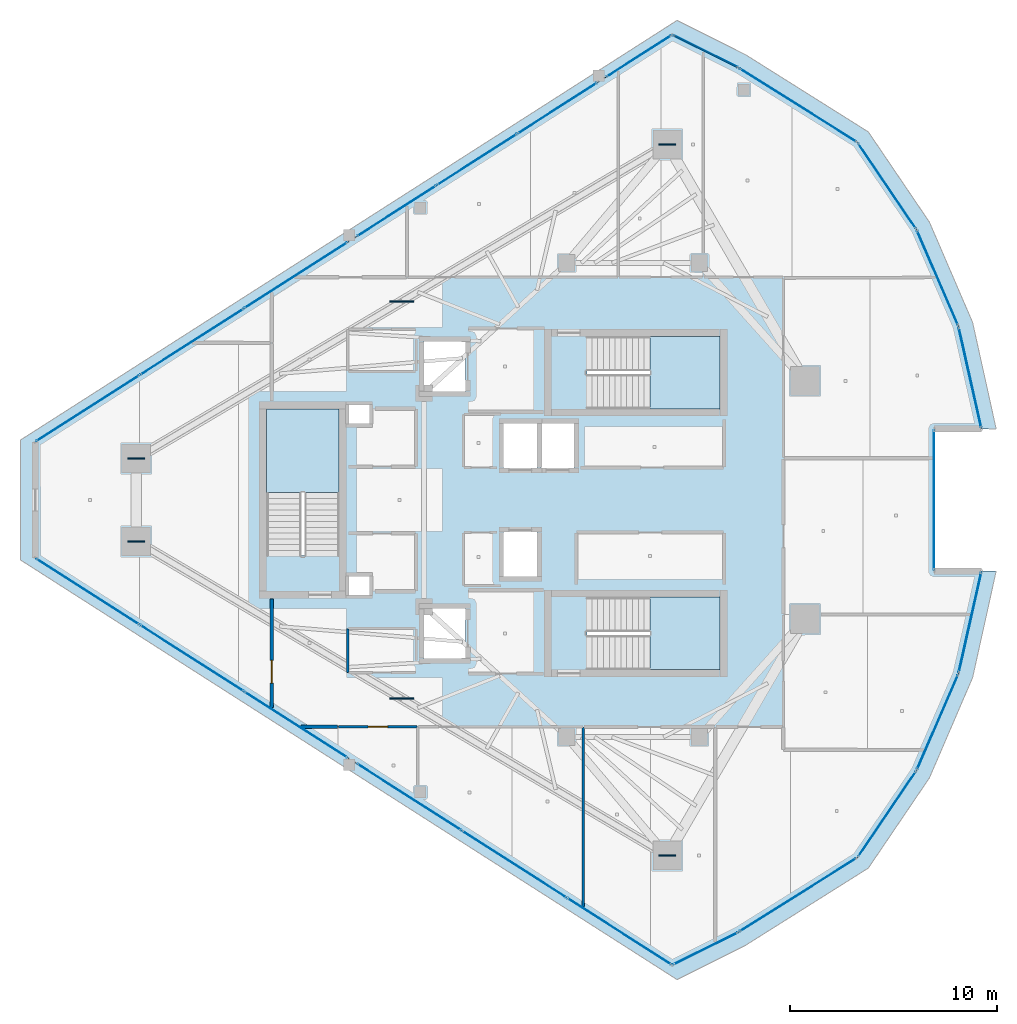
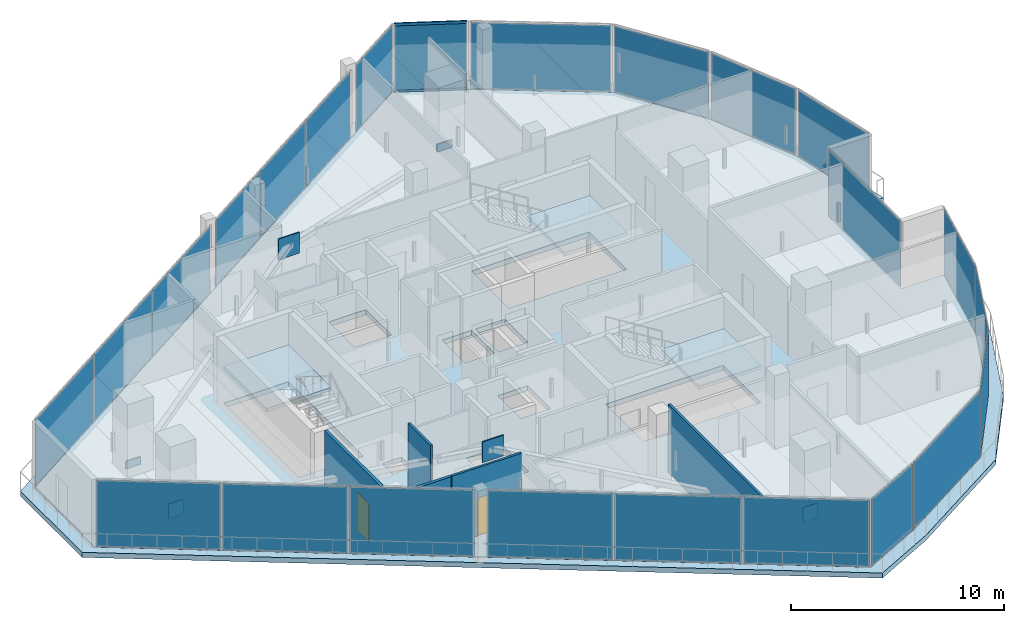
# One storey, part 20 of 30: 30 plates, 5 slabs, 5 walls, 2 doors, 2 members, 2 openings, 19 elements without a shape of their own.
"""IFC4 building model written with IfcOpenShell, lengths in metres."""

from ifc_helpers import new_model, si_unit, direction, frame, frame_2d, origin, origin_2d, place, context, subcontext, project, spatial, polyline, rectangle, hollow_rectangle, outline, extrude, material, layer, layer_set, material_profile, profile_set, type_object, element, fill, aggregate, save


model = new_model("IFC4")

# Units and contexts
model_context = context("Model", 3, precision=1e-05, world=origin(), true_north=direction((0.0, 1.0)))
body_context = subcontext(model_context, "Body", "Model", "MODEL_VIEW")
ifc_project = project(units=[si_unit("LENGTHUNIT", "METRE"), si_unit("AREAUNIT", "SQUARE_METRE"), si_unit("VOLUMEUNIT", "CUBIC_METRE"), si_unit("PLANEANGLEUNIT", "RADIAN"), si_unit("MASSUNIT", "GRAM", prefix="KILO")], contexts=[model_context])

# Site, building, storey
site_placement = place(None, origin())
site = spatial("IfcSite", under=ifc_project, at=site_placement, CompositionType="ELEMENT")
building_placement = place(site_placement, origin())
building = spatial("IfcBuilding", under=site, at=building_placement, Name="Qorvath Tower", CompositionType="ELEMENT")
storey_placement = place(building_placement, frame((0.0, 0.0, 301.800048828125)))
storey = spatial("IfcBuildingStorey", under=building, at=storey_placement, Name="L70", CompositionType="ELEMENT", Elevation=301.800048828125)

# Curtain wall, members
ifc_material_1 = material(Name="Anodised aluminium and triple low-E glass", Category="aluminium")
ifc_layer_1 = layer(ifc_material_1, 0.179931640625)
ifc_layer_set_1 = layer_set([ifc_layer_1], Name="CW-SYS-4")
curtain_wall_type = type_object("IfcCurtainWallType", Name="CW-SYS-4", PredefinedType="NOTDEFINED", material=ifc_layer_set_1)
curtain_wall_1_placement = place(storey_placement, origin())
curtain_wall_1 = element("IfcCurtainWall", 1, at=curtain_wall_1_placement, inside=storey, type_object=curtain_wall_type, Name="Curtain Wall CW-4 CW-T-L70-15.1", PredefinedType="NOTDEFINED")
ifc_material_2 = material(Name="Anodised aluminium 6063-T6", Category="aluminium")
ifc_material_profile = material_profile(ifc_material_2, hollow_rectangle(XDim=0.06494140625, YDim=0.159912109375, WallThickness=0.00341796875, InnerFilletRadius=0.00341796875, OuterFilletRadius=0.007080078125, at=origin_2d()), Name="CWT 160x65")
ifc_profile_set = profile_set([ifc_material_profile], Name="Anodised aluminium 6063-T6")
member_type = type_object("IfcMemberType", Name="CWT-160", PredefinedType="USERDEFINED", material=ifc_profile_set)
member_1_placement = place(storey_placement, frame((-15.365234375, 20.90234375, 0.032470703125), z_axis=(-0.894398795585, 0.447270381824, 0.0), x_axis=(-0.447270381824, -0.894398795585, 0.0)))
member_1 = element("IfcMember", 2, at=member_1_placement, type_object=member_type, Name="CW-4 transom 1.1", ObjectType="TRANSOM", PredefinedType="USERDEFINED", context=body_context, shape_type="SweptSolid", body=[
    extrude(hollow_rectangle(XDim=0.06494140625, YDim=0.159912109375, WallThickness=0.00341796875, InnerFilletRadius=0.00341796875, OuterFilletRadius=0.007080078125, at=origin_2d()), origin(), (0.0, 0.0, 1.0), 3.439453125),
])
member_2_placement = place(storey_placement, frame((-15.365234375, 20.90234375, 3.87744140625), z_axis=(-0.894398795585, 0.447270381824, 0.0), x_axis=(-0.447270381824, -0.894398795585, 0.0)))
member_2 = element("IfcMember", 3, at=member_2_placement, type_object=member_type, Name="CW-4 transom 1.2", ObjectType="TRANSOM", PredefinedType="USERDEFINED", context=body_context, shape_type="SweptSolid", body=[
    extrude(hollow_rectangle(XDim=0.06494140625, YDim=0.159912109375, WallThickness=0.00341796875, InnerFilletRadius=0.00341796875, OuterFilletRadius=0.007080078125, at=origin_2d()), origin(), (0.0, 0.0, 1.0), 3.439453125),
])

# Curtain wall, plates
curtain_wall_2_placement = place(storey_placement, origin())
curtain_wall_2 = element("IfcCurtainWall", 4, at=curtain_wall_2_placement, inside=storey, type_object=curtain_wall_type, Name="Curtain Wall CW-4 CW-T-L70-2.1", PredefinedType="NOTDEFINED")
ifc_material_3 = material(Name="Acoustic laminated low-E glass", Category="glass")
ifc_layer_2 = layer(ifc_material_3, 0.0380859375)
ifc_layer_set_2 = layer_set([ifc_layer_2], Name="CWP-GLZ-38")
plate_type_1 = type_object("IfcPlateType", Name="CWP-GLZ-38", PredefinedType="CURTAIN_PANEL", material=ifc_layer_set_2)
plate_1_placement = place(storey_placement, frame((-46.740966796875, -4.429931640625, 0.06494140625), z_axis=(0.0, 0.0, 1.0), x_axis=(0.842608173342, -0.538527126724, 0.0)))
plate_1 = element("IfcPlate", 5, at=plate_1_placement, type_object=plate_type_1, Name="CW-4 panel 1.1", PredefinedType="CURTAIN_PANEL", context=body_context, shape_type="SweptSolid", body=[
    extrude(rectangle(XDim=5.86865234375, YDim=0.0380859375, at=origin_2d()), origin(), (0.0, 0.0, 1.0), 3.780029296875),
])
plate_2_placement = place(storey_placement, frame((-41.716796875, -7.640869140625, 0.06494140625), z_axis=(0.0, 0.0, 1.0), x_axis=(0.842608173342, -0.538527126724, 0.0)))
plate_2 = element("IfcPlate", 6, at=plate_2_placement, type_object=plate_type_1, Name="CW-4 panel 2.1", PredefinedType="CURTAIN_PANEL", context=body_context, shape_type="SweptSolid", body=[
    extrude(rectangle(XDim=5.90625, YDim=0.0380859375, at=origin_2d()), origin(), (0.0, 0.0, 1.0), 3.780029296875),
])
plate_3_placement = place(storey_placement, frame((-36.69287109375, -10.851806640625, 0.06494140625), z_axis=(0.0, 0.0, 1.0), x_axis=(0.842608173342, -0.538527126724, 0.0)))
plate_3 = element("IfcPlate", 7, at=plate_3_placement, type_object=plate_type_1, Name="CW-4 panel 3.1", PredefinedType="CURTAIN_PANEL", context=body_context, shape_type="SweptSolid", body=[
    extrude(rectangle(XDim=5.86865234375, YDim=0.0380859375, at=origin_2d()), origin(), (0.0, 0.0, 1.0), 3.780029296875),
])
aggregate(curtain_wall_2, [plate_1, plate_2, plate_3])

curtain_wall_3_placement = place(storey_placement, origin())
curtain_wall_3 = element("IfcCurtainWall", 8, at=curtain_wall_3_placement, inside=storey, type_object=curtain_wall_type, Name="Curtain Wall CW-4 CW-T-L70-2.2", PredefinedType="NOTDEFINED")
plate_4_placement = place(storey_placement, frame((-31.222412109375, -14.34814453125, 0.06494140625), z_axis=(0.0, 0.0, 1.0), x_axis=(0.84260302578, -0.538535180788, 0.0)))
plate_4 = element("IfcPlate", 9, at=plate_4_placement, type_object=plate_type_1, Name="CW-4 panel 1.1", PredefinedType="CURTAIN_PANEL", context=body_context, shape_type="SweptSolid", body=[
    extrude(rectangle(XDim=5.9306640625, YDim=0.0380859375, at=origin_2d()), origin(), (0.0, 0.0, 1.0), 3.780029296875),
])
plate_5_placement = place(storey_placement, frame((-26.146240234375, -17.592529296875, 0.06494140625), z_axis=(0.0, 0.0, 1.0), x_axis=(0.84260302578, -0.538535180788, 0.0)))
plate_5 = element("IfcPlate", 10, at=plate_5_placement, type_object=plate_type_1, Name="CW-4 panel 2.1", PredefinedType="CURTAIN_PANEL", context=body_context, shape_type="SweptSolid", body=[
    extrude(rectangle(XDim=5.968017578125, YDim=0.0380859375, at=origin_2d()), origin(), (0.0, 0.0, 1.0), 3.780029296875),
])
plate_6_placement = place(storey_placement, frame((-21.0703125, -20.8369140625, 0.06494140625), z_axis=(0.0, 0.0, 1.0), x_axis=(0.84260302578, -0.538535180788, 0.0)))
plate_6 = element("IfcPlate", 11, at=plate_6_placement, type_object=plate_type_1, Name="CW-4 panel 3.1", PredefinedType="CURTAIN_PANEL", context=body_context, shape_type="SweptSolid", body=[
    extrude(rectangle(XDim=5.9306640625, YDim=0.0380859375, at=origin_2d()), origin(), (0.0, 0.0, 1.0), 3.780029296875),
])
aggregate(curtain_wall_3, [plate_4, plate_5, plate_6])

# Curtain wall, plate
curtain_wall_4_placement = place(storey_placement, origin())
curtain_wall_4 = element("IfcCurtainWall", 12, at=curtain_wall_4_placement, inside=storey, type_object=curtain_wall_type, Name="Curtain Wall CW-4 CW-T-L70-3.1", PredefinedType="NOTDEFINED")
plate_7_placement = place(storey_placement, frame((-16.9033203125, -21.67138671875, 0.06494140625), z_axis=(0.0, 0.0, 1.0), x_axis=(0.894427191001, 0.447213595499, 0.0)))
plate_7 = element("IfcPlate", 13, at=plate_7_placement, type_object=plate_type_1, Name="CW-4 panel 1.1", PredefinedType="CURTAIN_PANEL", context=body_context, shape_type="SweptSolid", body=[
    extrude(rectangle(XDim=3.439453125, YDim=0.0380859375, at=origin_2d()), origin(), (0.0, 0.0, 1.0), 3.780029296875),
])
aggregate(curtain_wall_4, [plate_7])

curtain_wall_5_placement = place(storey_placement, origin())
curtain_wall_5 = element("IfcCurtainWall", 14, at=curtain_wall_5_placement, inside=storey, type_object=curtain_wall_type, Name="Curtain Wall CW-4 CW-T-L70-4.1", PredefinedType="NOTDEFINED")
plate_8_placement = place(storey_placement, frame((-12.43017578125, -19.070068359375, 0.06494140625), z_axis=(0.0, 0.0, 1.0), x_axis=(0.847132595857, 0.531381562568, 0.0)))
plate_8 = element("IfcPlate", 15, at=plate_8_placement, type_object=plate_type_1, Name="CW-4 panel 1.1", PredefinedType="CURTAIN_PANEL", context=body_context, shape_type="SweptSolid", body=[
    extrude(rectangle(XDim=6.620849609375, YDim=0.0380859375, at=origin_2d()), origin(), (0.0, 0.0, 1.0), 3.780029296875),
])
aggregate(curtain_wall_5, [plate_8])

curtain_wall_6_placement = place(storey_placement, origin())
curtain_wall_6 = element("IfcCurtainWall", 16, at=curtain_wall_6_placement, inside=storey, type_object=curtain_wall_type, Name="Curtain Wall CW-4 CW-T-L70-5.1", PredefinedType="NOTDEFINED")
plate_9_placement = place(storey_placement, frame((-8.133544921875, -15.168212890625, 0.06494140625), z_axis=(0.0, 0.0, 1.0), x_axis=(0.562026493901, 0.827119229708, 0.0)))
plate_9 = element("IfcPlate", 17, at=plate_9_placement, type_object=plate_type_1, Name="CW-4 panel 1.1", PredefinedType="CURTAIN_PANEL", context=body_context, shape_type="SweptSolid", body=[
    extrude(rectangle(XDim=4.9345703125, YDim=0.0380859375, at=origin_2d()), origin(), (0.0, 0.0, 1.0), 3.780029296875),
])
aggregate(curtain_wall_6, [plate_9])

curtain_wall_7_placement = place(storey_placement, origin())
curtain_wall_7 = element("IfcCurtainWall", 18, at=curtain_wall_7_placement, inside=storey, type_object=curtain_wall_type, Name="Curtain Wall CW-4 CW-T-L70-6.1", PredefinedType="NOTDEFINED")
plate_10_placement = place(storey_placement, frame((-5.69384765625, -10.73291015625, 0.06494140625), z_axis=(0.0, 0.0, 1.0), x_axis=(0.39764055573, 0.917541273425, 0.0)))
plate_10 = element("IfcPlate", 19, at=plate_10_placement, type_object=plate_type_1, Name="CW-4 panel 1.1", PredefinedType="CURTAIN_PANEL", context=body_context, shape_type="SweptSolid", body=[
    extrude(rectangle(XDim=4.934326171875, YDim=0.0380859375, at=origin_2d()), origin(), (0.0, 0.0, 1.0), 3.780029296875),
])
aggregate(curtain_wall_7, [plate_10])

curtain_wall_8_placement = place(storey_placement, origin())
curtain_wall_8 = element("IfcCurtainWall", 20, at=curtain_wall_8_placement, inside=storey, type_object=curtain_wall_type, Name="Curtain Wall CW-4 CW-T-L70-7.1", PredefinedType="NOTDEFINED")
plate_11_placement = place(storey_placement, frame((-4.125244140625, -5.920166015625, 0.06494140625), z_axis=(0.0, 0.0, 1.0), x_axis=(0.21938911167, 0.975637441717, 0.0)))
plate_11 = element("IfcPlate", 21, at=plate_11_placement, type_object=plate_type_1, Name="CW-4 panel 1.1", PredefinedType="CURTAIN_PANEL", context=body_context, shape_type="SweptSolid", body=[
    extrude(rectangle(XDim=4.9345703125, YDim=0.0380859375, at=origin_2d()), origin(), (0.0, 0.0, 1.0), 3.780029296875),
])
aggregate(curtain_wall_8, [plate_11])

curtain_wall_9_placement = place(storey_placement, origin())
curtain_wall_9 = element("IfcCurtainWall", 22, at=curtain_wall_9_placement, inside=storey, type_object=curtain_wall_type, Name="Curtain Wall CW-4 CW-T-L70-9.1", PredefinedType="NOTDEFINED")
plate_12_placement = place(storey_placement, frame((-5.860595703125, 0.0, 0.06494140625), z_axis=(0.0, 0.0, 1.0), x_axis=(0.0, 1.0, 0.0)))
plate_12 = element("IfcPlate", 23, at=plate_12_placement, type_object=plate_type_1, Name="CW-4 panel 1.1", PredefinedType="CURTAIN_PANEL", context=body_context, shape_type="SweptSolid", body=[
    extrude(rectangle(XDim=6.7294921875, YDim=0.0380859375, at=origin_2d()), origin(), (0.0, 0.0, 1.0), 3.780029296875),
])
aggregate(curtain_wall_9, [plate_12])

curtain_wall_10_placement = place(storey_placement, origin())
curtain_wall_10 = element("IfcCurtainWall", 24, at=curtain_wall_10_placement, inside=storey, type_object=curtain_wall_type, Name="Curtain Wall CW-4 CW-T-L70-11.1", PredefinedType="NOTDEFINED")
plate_13_placement = place(storey_placement, frame((-4.125244140625, 5.920166015625, 0.06494140625), z_axis=(0.0, 0.0, 1.0), x_axis=(-0.21938911167, 0.975637441717, 0.0)))
plate_13 = element("IfcPlate", 25, at=plate_13_placement, type_object=plate_type_1, Name="CW-4 panel 1.1", PredefinedType="CURTAIN_PANEL", context=body_context, shape_type="SweptSolid", body=[
    extrude(rectangle(XDim=4.9345703125, YDim=0.0380859375, at=origin_2d()), origin(), (0.0, 0.0, 1.0), 3.780029296875),
])
aggregate(curtain_wall_10, [plate_13])

curtain_wall_11_placement = place(storey_placement, origin())
curtain_wall_11 = element("IfcCurtainWall", 26, at=curtain_wall_11_placement, inside=storey, type_object=curtain_wall_type, Name="Curtain Wall CW-4 CW-T-L70-12.1", PredefinedType="NOTDEFINED")
plate_14_placement = place(storey_placement, frame((-5.69384765625, 10.73291015625, 0.06494140625), z_axis=(0.0, 0.0, 1.0), x_axis=(-0.39764055573, 0.917541273425, 0.0)))
plate_14 = element("IfcPlate", 27, at=plate_14_placement, type_object=plate_type_1, Name="CW-4 panel 1.1", PredefinedType="CURTAIN_PANEL", context=body_context, shape_type="SweptSolid", body=[
    extrude(rectangle(XDim=4.934326171875, YDim=0.0380859375, at=origin_2d()), origin(), (0.0, 0.0, 1.0), 3.780029296875),
])
aggregate(curtain_wall_11, [plate_14])

curtain_wall_12_placement = place(storey_placement, origin())
curtain_wall_12 = element("IfcCurtainWall", 28, at=curtain_wall_12_placement, inside=storey, type_object=curtain_wall_type, Name="Curtain Wall CW-4 CW-T-L70-13.1", PredefinedType="NOTDEFINED")
plate_15_placement = place(storey_placement, frame((-8.133544921875, 15.168212890625, 0.06494140625), z_axis=(0.0, 0.0, 1.0), x_axis=(-0.562026493901, 0.827119229708, 0.0)))
plate_15 = element("IfcPlate", 29, at=plate_15_placement, type_object=plate_type_1, Name="CW-4 panel 1.1", PredefinedType="CURTAIN_PANEL", context=body_context, shape_type="SweptSolid", body=[
    extrude(rectangle(XDim=4.9345703125, YDim=0.0380859375, at=origin_2d()), origin(), (0.0, 0.0, 1.0), 3.780029296875),
])
aggregate(curtain_wall_12, [plate_15])

curtain_wall_13_placement = place(storey_placement, origin())
curtain_wall_13 = element("IfcCurtainWall", 30, at=curtain_wall_13_placement, inside=storey, type_object=curtain_wall_type, Name="Curtain Wall CW-4 CW-T-L70-14.1", PredefinedType="NOTDEFINED")
plate_16_placement = place(storey_placement, frame((-12.43017578125, 19.070068359375, 0.06494140625), z_axis=(0.0, 0.0, 1.0), x_axis=(-0.847132595857, 0.531381562568, 0.0)))
plate_16 = element("IfcPlate", 31, at=plate_16_placement, type_object=plate_type_1, Name="CW-4 panel 1.1", PredefinedType="CURTAIN_PANEL", context=body_context, shape_type="SweptSolid", body=[
    extrude(rectangle(XDim=6.620849609375, YDim=0.0380859375, at=origin_2d()), origin(), (0.0, 0.0, 1.0), 3.780029296875),
])
aggregate(curtain_wall_13, [plate_16])

# Plate
plate_17_placement = place(storey_placement, frame((-16.9033203125, 21.67138671875, 0.06494140625), z_axis=(0.0, 0.0, 1.0), x_axis=(-0.894427191001, 0.447213595499, 0.0)))
plate_17 = element("IfcPlate", 32, at=plate_17_placement, type_object=plate_type_1, Name="CW-4 panel 1.1", PredefinedType="CURTAIN_PANEL", context=body_context, shape_type="SweptSolid", body=[
    extrude(rectangle(XDim=3.439453125, YDim=0.0380859375, at=origin_2d()), origin(), (0.0, 0.0, 1.0), 3.780029296875),
])

aggregate(curtain_wall_1, [member_1, member_2, plate_17])

# Curtain wall, plate
curtain_wall_14_placement = place(storey_placement, origin())
curtain_wall_14 = element("IfcCurtainWall", 33, at=curtain_wall_14_placement, inside=storey, type_object=curtain_wall_type, Name="Curtain Wall CW-4 CW-T-L70-16.1", PredefinedType="NOTDEFINED")
plate_18_placement = place(storey_placement, frame((-20.120849609375, 21.443603515625, 0.06494140625), z_axis=(0.0, 0.0, 1.0), x_axis=(-0.842604371227, -0.538533075668, 0.0)))
plate_18 = element("IfcPlate", 34, at=plate_18_placement, type_object=plate_type_1, Name="CW-4 panel 1.1", PredefinedType="CURTAIN_PANEL", context=body_context, shape_type="SweptSolid", body=[
    extrude(rectangle(XDim=3.677001953125, YDim=0.0380859375, at=origin_2d()), origin(), (0.0, 0.0, 1.0), 3.780029296875),
])
aggregate(curtain_wall_14, [plate_18])

# Curtain wall, plates
curtain_wall_15_placement = place(storey_placement, origin())
curtain_wall_15 = element("IfcCurtainWall", 35, at=curtain_wall_15_placement, inside=storey, type_object=curtain_wall_type, Name="Curtain Wall CW-4 CW-T-L70-16.2", PredefinedType="NOTDEFINED")
plate_19_placement = place(storey_placement, frame((-24.068115234375, 18.920654296875, 0.06494140625), z_axis=(0.0, 0.0, 1.0), x_axis=(-0.842603679504, -0.538534157957, 0.0)))
plate_19 = element("IfcPlate", 36, at=plate_19_placement, type_object=plate_type_1, Name="CW-4 panel 1.1", PredefinedType="CURTAIN_PANEL", context=body_context, shape_type="SweptSolid", body=[
    extrude(rectangle(XDim=4.50732421875, YDim=0.0380859375, at=origin_2d()), origin(), (0.0, 0.0, 1.0), 3.780029296875),
])
plate_20_placement = place(storey_placement, frame((-27.945068359375, 16.44287109375, 0.06494140625), z_axis=(0.0, 0.0, 1.0), x_axis=(-0.842603679504, -0.538534157957, 0.0)))
plate_20 = element("IfcPlate", 37, at=plate_20_placement, type_object=plate_type_1, Name="CW-4 panel 2.1", PredefinedType="CURTAIN_PANEL", context=body_context, shape_type="SweptSolid", body=[
    extrude(rectangle(XDim=4.544921875, YDim=0.0380859375, at=origin_2d()), origin(), (0.0, 0.0, 1.0), 3.780029296875),
])
plate_21_placement = place(storey_placement, frame((-31.822021484375, 13.965087890625, 0.06494140625), z_axis=(0.0, 0.0, 1.0), x_axis=(-0.842603679504, -0.538534157957, 0.0)))
plate_21 = element("IfcPlate", 38, at=plate_21_placement, type_object=plate_type_1, Name="CW-4 panel 3.1", PredefinedType="CURTAIN_PANEL", context=body_context, shape_type="SweptSolid", body=[
    extrude(rectangle(XDim=4.50732421875, YDim=0.0380859375, at=origin_2d()), origin(), (0.0, 0.0, 1.0), 3.780029296875),
])
aggregate(curtain_wall_15, [plate_19, plate_20, plate_21])

curtain_wall_16_placement = place(storey_placement, origin())
curtain_wall_16 = element("IfcCurtainWall", 39, at=curtain_wall_16_placement, inside=storey, type_object=curtain_wall_type, Name="Curtain Wall CW-4 CW-T-L70-16.3", PredefinedType="NOTDEFINED")
plate_22_placement = place(storey_placement, frame((-36.69287109375, 10.851806640625, 0.06494140625), z_axis=(0.0, 0.0, 1.0), x_axis=(-0.842608173342, -0.538527126724, 0.0)))
plate_22 = element("IfcPlate", 40, at=plate_22_placement, type_object=plate_type_1, Name="CW-4 panel 1.1", PredefinedType="CURTAIN_PANEL", context=body_context, shape_type="SweptSolid", body=[
    extrude(rectangle(XDim=5.86865234375, YDim=0.0380859375, at=origin_2d()), origin(), (0.0, 0.0, 1.0), 3.780029296875),
])
plate_23_placement = place(storey_placement, frame((-41.716796875, 7.640869140625, 0.06494140625), z_axis=(0.0, 0.0, 1.0), x_axis=(-0.842608173342, -0.538527126724, 0.0)))
plate_23 = element("IfcPlate", 41, at=plate_23_placement, type_object=plate_type_1, Name="CW-4 panel 2.1", PredefinedType="CURTAIN_PANEL", context=body_context, shape_type="SweptSolid", body=[
    extrude(rectangle(XDim=5.90625, YDim=0.0380859375, at=origin_2d()), origin(), (0.0, 0.0, 1.0), 3.780029296875),
])
plate_24_placement = place(storey_placement, frame((-46.740966796875, 4.429931640625, 0.06494140625), z_axis=(0.0, 0.0, 1.0), x_axis=(-0.842608173342, -0.538527126724, 0.0)))
plate_24 = element("IfcPlate", 42, at=plate_24_placement, type_object=plate_type_1, Name="CW-4 panel 3.1", PredefinedType="CURTAIN_PANEL", context=body_context, shape_type="SweptSolid", body=[
    extrude(rectangle(XDim=5.86865234375, YDim=0.0380859375, at=origin_2d()), origin(), (0.0, 0.0, 1.0), 3.780029296875),
])
aggregate(curtain_wall_16, [plate_22, plate_23, plate_24])

# Plates
ifc_material_4 = material(Name="Steel ASTM A572 Grade 50", Category="steel")
ifc_layer_3 = layer(ifc_material_4, 0.054931640625)
ifc_layer_set_3 = layer_set([ifc_layer_3], Name="PL-MBN1")
plate_type_2 = type_object("IfcPlateType", Name="PL-MBN1", PredefinedType="USERDEFINED", material=ifc_layer_set_3)
for number, where, z_axis, x_axis, name in (
    (43, (-31.57666015625, 9.591552734375, 2.9599609375), (0.0, 0.0, 1.0), (1.0, 0.0, 0.0), "Mega-Brace Chevron Apex Gusset L70-1"),
    (44, (-31.57666015625, -9.591552734375, 2.9599609375), (0.0, 0.0, 1.0), (1.0, 0.0, 0.0), "Mega-Brace Chevron Apex Gusset L70-2"),
):
    element("IfcPlate", number, at=place(storey_placement, frame(where, z_axis=z_axis, x_axis=x_axis)), inside=storey, type_object=plate_type_2, Name=name, ObjectType="GUSSET", PredefinedType="USERDEFINED", context=body_context, shape_type="SweptSolid", body=[
        extrude(rectangle(XDim=1.14990234375, YDim=0.054931640625, at=origin_2d()), origin(), (0.0, 0.0, 1.0), 1.199951171875),
    ])
for number, where, z_axis, x_axis, name in (
    (45, (-18.75048828125, 17.175537109375, -0.425048828125), (0.0, 0.0, 1.0), (1.0, 0.0, 0.0), "Brace Strut End Gusset Plate NDBG-121"),
    (46, (-44.402587890625, 2.007568359375, -0.425048828125), (0.0, 0.0, 1.0), (1.0, 0.0, 0.0), "Brace Strut End Gusset Plate NDBG-122"),
    (47, (-44.402587890625, -2.007568359375, -0.425048828125), (0.0, 0.0, 1.0), (1.0, 0.0, 0.0), "Brace Strut End Gusset Plate NDBG-123"),
    (48, (-18.75048828125, -17.175537109375, -0.425048828125), (0.0, 0.0, 1.0), (1.0, 0.0, 0.0), "Brace Strut End Gusset Plate NDBG-124"),
):
    element("IfcPlate", number, at=place(storey_placement, frame(where, z_axis=z_axis, x_axis=x_axis)), inside=storey, type_object=plate_type_2, Name=name, ObjectType="GUSSET", PredefinedType="USERDEFINED", context=body_context, shape_type="SweptSolid", body=[
        extrude(rectangle(XDim=0.800048828125, YDim=0.054931640625, at=origin_2d()), origin(), (0.0, 0.0, 1.0), 0.85009765625),
    ])

# Slab
ifc_material_5 = material(Name="Concrete C50/60", Category="concrete")
ifc_layer_4 = layer(ifc_material_5, 0.2900390625)
ifc_layer_set_4 = layer_set([ifc_layer_4], Name="SL-EXEC-290")
slab_type_1 = type_object("IfcSlabType", Name="SL-EXEC-290", PredefinedType="FLOOR", material=ifc_layer_set_4)
slab_1_placement = place(storey_placement, frame((0.0, 0.0, -0.2900390625)))
element("IfcSlab", 49, at=slab_1_placement, inside=storey, type_object=slab_type_1, Name="Tower L70 Interior Floor Slab", PredefinedType="FLOOR", context=body_context, shape_type="SweptSolid", body=[
    extrude(outline(polyline([(-49.276611328125, 2.809326171875), (-49.276611328125, -2.809326171875), (-18.508544921875, -22.47412109375), (-15.298095703125, -20.868896484375), (-9.562255859375, -17.27099609375), (-6.70458984375, -13.0654296875), (-4.682861328125, -8.400390625), (-3.5673828125, -3.439697265625), (-5.860595703125, -3.439697265625), (-5.860595703125, 3.439697265625), (-3.5673828125, 3.439697265625), (-4.682861328125, 8.400390625), (-6.70458984375, 13.0654296875), (-9.562255859375, 17.27099609375), (-15.298095703125, 20.868896484375), (-18.508544921875, 22.47412109375), (-49.276611328125, 2.809326171875)]), holes=[polyline([(-16.2451171875, -8.199951171875), (-22.625, -8.199951171875), (-22.625, -4.68994140625), (-16.2451171875, -4.68994140625), (-16.2451171875, -8.199951171875)]), polyline([(-22.625, 4.39990234375), (-22.625, 7.909912109375), (-16.2451171875, 7.909912109375), (-16.2451171875, 4.39990234375), (-22.625, 4.39990234375)]), polyline([(-23.25, 1.550048828125), (-24.85009765625, 1.550048828125), (-24.85009765625, 3.699951171875), (-23.25, 3.699951171875), (-23.25, 1.550048828125)]), polyline([(-26.64990234375, -3.699951171875), (-26.64990234375, -1.550048828125), (-25.050048828125, -1.550048828125), (-25.050048828125, -3.699951171875), (-26.64990234375, -3.699951171875)]), polyline([(-25.050048828125, 1.550048828125), (-26.64990234375, 1.550048828125), (-26.64990234375, 3.699951171875), (-25.050048828125, 3.699951171875), (-25.050048828125, 1.550048828125)]), polyline([(-28.5, -7.64990234375), (-30.5, -7.64990234375), (-30.5, -5.25), (-28.5, -5.25), (-28.5, -7.64990234375)]), polyline([(-30.5, 5.25), (-30.5, 7.64990234375), (-28.5, 7.64990234375), (-28.5, 5.25), (-30.5, 5.25)]), polyline([(-33.10009765625, -4.6201171875), (-34.14990234375, -4.6201171875), (-34.14990234375, -3.64990234375), (-33.10009765625, -3.64990234375), (-33.10009765625, -4.6201171875)]), polyline([(-33.10009765625, 3.64990234375), (-34.14990234375, 3.64990234375), (-34.14990234375, 4.6201171875), (-33.10009765625, 4.6201171875), (-33.10009765625, 3.64990234375)]), polyline([(-34.60009765625, -2.675048828125), (-38.110107421875, -2.675048828125), (-38.110107421875, 4.35498046875), (-34.60009765625, 4.35498046875), (-34.60009765625, -2.675048828125)])]), origin(), (0.0, 0.0, 1.0), 0.2900390625),
])

# Stair, slab
ifc_material_6 = material(Name="Concrete C50/60", Category="concrete")
stair_type = type_object("IfcStairType", Name="ST-H420", PredefinedType="HALF_TURN_STAIR", material=ifc_material_6)
stair_1_placement = place(storey_placement, origin())
stair_1 = element("IfcStair", 50, at=stair_1_placement, inside=storey, type_object=stair_type, Name="L70 Tower Exit Stair 1", PredefinedType="HALF_TURN_STAIR")
ifc_material_7 = material(Name="Concrete C50/60", Category="concrete")
ifc_layer_5 = layer(ifc_material_7, 0.199951171875)
ifc_layer_set_5 = layer_set([ifc_layer_5], Name="SL-LND-200")
slab_type_2 = type_object("IfcSlabType", Name="SL-LND-200", PredefinedType="LANDING", material=ifc_layer_set_5)
slab_2_placement = place(storey_placement, frame((0.0, 0.0, 1.89990234375)))
slab_2 = element("IfcSlab", 51, at=slab_2_placement, type_object=slab_type_2, Name="TS1 landing 1", PredefinedType="LANDING", context=body_context, shape_type="SweptSolid", body=[
    extrude(outline(polyline([(-19.590087890625, 4.39990234375), (-16.199951171875, 4.39990234375), (-16.199951171875, 7.909912109375), (-19.590087890625, 7.909912109375), (-19.590087890625, 4.39990234375)])), origin(), (0.0, 0.0, 1.0), 0.199951171875),
])
aggregate(stair_1, [slab_2])

stair_2_placement = place(storey_placement, origin())
stair_2 = element("IfcStair", 52, at=stair_2_placement, inside=storey, type_object=stair_type, Name="L70 Tower Exit Stair 2", PredefinedType="HALF_TURN_STAIR")
slab_3_placement = place(storey_placement, frame((0.0, 0.0, 1.89990234375)))
slab_3 = element("IfcSlab", 53, at=slab_3_placement, type_object=slab_type_2, Name="TS2 landing 1", PredefinedType="LANDING", context=body_context, shape_type="SweptSolid", body=[
    extrude(outline(polyline([(-19.590087890625, -8.199951171875), (-16.199951171875, -8.199951171875), (-16.199951171875, -4.68994140625), (-19.590087890625, -4.68994140625), (-19.590087890625, -8.199951171875)])), origin(), (0.0, 0.0, 1.0), 0.199951171875),
])
aggregate(stair_2, [slab_3])

stair_3_placement = place(storey_placement, origin())
stair_3 = element("IfcStair", 54, at=stair_3_placement, inside=storey, type_object=stair_type, Name="L70 Tower Exit Stair 3", PredefinedType="HALF_TURN_STAIR")
slab_4_placement = place(storey_placement, frame((0.0, 0.0, 1.89990234375)))
slab_4 = element("IfcSlab", 55, at=slab_4_placement, type_object=slab_type_2, Name="TS3 landing 1", PredefinedType="LANDING", context=body_context, shape_type="SweptSolid", body=[
    extrude(outline(polyline([(-34.60009765625, 0.360107421875), (-34.60009765625, 4.39990234375), (-38.110107421875, 4.39990234375), (-38.110107421875, 0.360107421875), (-34.60009765625, 0.360107421875)])), origin(), (0.0, 0.0, 1.0), 0.199951171875),
])
aggregate(stair_3, [slab_4])

# Slab
ifc_material_8 = material(Name="Precast concrete C45/55", Category="concrete")
ifc_layer_6 = layer(ifc_material_8, 0.2900390625)
ifc_layer_set_6 = layer_set([ifc_layer_6], Name="SL-LOG-290")
slab_type_3 = type_object("IfcSlabType", Name="SL-LOG-290", PredefinedType="FLOOR", material=ifc_layer_set_6)
slab_5_placement = place(storey_placement, frame((0.0, 0.0, -0.2900390625)))
element("IfcSlab", 56, at=slab_5_placement, inside=storey, type_object=slab_type_3, Name="Tower L70 Perimeter Loggia and Terrace Slab", PredefinedType="FLOOR", context=body_context, shape_type="SweptSolid", body=[
    extrude(outline(polyline([(-3.5673828125, -3.439697265625), (-4.682861328125, -8.400390625), (-6.70458984375, -13.0654296875), (-9.562255859375, -17.27099609375), (-15.298095703125, -20.868896484375), (-18.508544921875, -22.47412109375), (-49.276611328125, -2.809326171875), (-49.276611328125, 2.809326171875), (-18.508544921875, 22.47412109375), (-15.298095703125, 20.868896484375), (-9.562255859375, 17.27099609375), (-6.70458984375, 13.0654296875), (-4.682861328125, 8.400390625), (-3.5673828125, 3.439697265625), (-2.86376953125, 3.439697265625), (-4.001953125, 8.582763671875), (-6.085205078125, 13.4208984375), (-9.039306640625, 17.781982421875), (-14.96875, 21.510986328125), (-18.278076171875, 23.165771484375), (-49.9931640625, 2.895751953125), (-49.9931640625, -2.895751953125), (-18.278076171875, -23.165771484375), (-14.96875, -21.510986328125), (-9.039306640625, -17.781982421875), (-6.085205078125, -13.4208984375), (-4.001953125, -8.582763671875), (-2.86376953125, -3.439697265625), (-3.5673828125, -3.439697265625)])), origin(), (0.0, 0.0, 1.0), 0.2900390625),
])

# Wall
ifc_material_9 = material(Name="Double acoustic gypsum board on steel studs", Category="steel")
ifc_layer_7 = layer(ifc_material_9, 0.159912109375)
ifc_layer_set_7 = layer_set([ifc_layer_7], Name="IW-ACOUSTIC-160")
wall_type_1 = type_object("IfcWallType", Name="IW-ACOUSTIC-160", PredefinedType="PARTITIONING", material=ifc_layer_set_7)
wall_1_placement = place(storey_placement, frame((-36.447021484375, -10.9580078125, 0.0), z_axis=(0.0, 0.0, 1.0), x_axis=(1.0, 0.0, 0.0)))
element("IfcWall", 57, at=wall_1_placement, inside=storey, type_object=wall_type_1, Name="Interior Partition IW-T1-L70-054", PredefinedType="PARTITIONING", context=body_context, shape_type="SweptSolid", body=[
    extrude(rectangle(XDim=1.763916015625, YDim=0.159912109375, at=frame_2d((0.8818359375, 0.0))), origin(), (0.0, 0.0, 1.0), 3.909912109375),
])

# Wall, opening, door
wall_2_placement = place(storey_placement, frame((-37.85791015625, -10.02734375, 0.0), z_axis=(0.0, 0.0, 1.0), x_axis=(0.0, 1.0, 0.0)))
wall_2 = element("IfcWall", 58, at=wall_2_placement, inside=storey, type_object=wall_type_1, Name="Interior Partition IW-T1-L70-055", PredefinedType="PARTITIONING", context=body_context, shape_type="SweptSolid", body=[
    extrude(rectangle(XDim=5.244140625, YDim=0.159912109375, at=frame_2d((2.6220703125, 0.0))), origin(), (0.0, 0.0, 1.0), 3.909912109375),
])
opening_1_placement = place(wall_2_placement, frame((1.18408203125, 0.0, 0.0)))
opening_1 = element("IfcOpeningElement", 59, at=opening_1_placement, cuts=wall_2, Name="Opening D-T1-L70-18", PredefinedType="OPENING", context=body_context, shape_type="SweptSolid", body=[
    extrude(rectangle(XDim=1.10009765625, YDim=2.14990234375, at=frame_2d((0.550048828125, 1.074951171875))), frame((0.0, 0.08984375, 0.0), z_axis=(0.0, -1.0, 0.0), x_axis=(1.0, 0.0, 0.0)), (0.0, 0.0, 1.0), 0.179931640625),
])
ifc_material_10 = material(Name="Anodised aluminium acoustic framed glass", Category="aluminium")
door_type_1 = type_object("IfcDoorType", Name="D-03", OperationType="NOTDEFINED", PredefinedType="DOOR", material=ifc_material_10)
door_1_placement = place(opening_1_placement, origin())
door_1 = element("IfcDoor", 60, at=door_1_placement, inside=storey, type_object=door_type_1, Name="L70-12 Client Services Office Door D-T1-L70-18", OperationType="SINGLE_SWING_LEFT", OverallHeight=2.14990234375, OverallWidth=1.10009765625, PredefinedType="DOOR", context=body_context, shape_type="SweptSolid", body=[
    extrude(rectangle(XDim=1.10009765625, YDim=2.14990234375, at=frame_2d((0.550048828125, 1.074951171875))), frame((0.0, 0.02490234375, 0.0), z_axis=(0.0, -1.0, 0.0), x_axis=(1.0, 0.0, 0.0)), (0.0, 0.0, 1.0), 0.050048828125),
])
fill(opening_1, door_1)

ifc_material_11 = material(Name="Gypsum board on metal studs with mineral wool", Category="gypsum")
ifc_layer_8 = layer(ifc_material_11, 0.125)
ifc_layer_set_8 = layer_set([ifc_layer_8], Name="IW-PART-125")
wall_type_2 = type_object("IfcWallType", Name="IW-PART-125", PredefinedType="PARTITIONING", material=ifc_layer_set_8)
wall_3_placement = place(storey_placement, frame((-30.833984375, -10.9580078125, 0.0), z_axis=(0.0, 0.0, 1.0), x_axis=(-1.0, 0.0, 0.0)))
wall_3 = element("IfcWall", 61, at=wall_3_placement, inside=storey, type_object=wall_type_2, Name="Interior Partition IW-T1-L70-041", PredefinedType="PARTITIONING", context=body_context, shape_type="SweptSolid", body=[
    extrude(rectangle(XDim=3.791015625, YDim=0.125, at=frame_2d((1.8955078125, 0.0))), origin(), (0.0, 0.0, 1.0), 3.909912109375),
])
opening_2_placement = place(wall_3_placement, frame((1.42041015625, 0.0, 0.0)))
opening_2 = element("IfcOpeningElement", 62, at=opening_2_placement, cuts=wall_3, Name="Opening D-T1-L70-11", PredefinedType="OPENING", context=body_context, shape_type="SweptSolid", body=[
    extrude(rectangle(XDim=0.949951171875, YDim=2.14990234375, at=frame_2d((0.47509765625, 1.074951171875))), frame((0.0, 0.072509765625, 0.0), z_axis=(0.0, -1.0, 0.0), x_axis=(1.0, 0.0, 0.0)), (0.0, 0.0, 1.0), 0.14501953125),
])
ifc_material_12 = material(Name="Solid-core American white oak veneer", Category="wood")
door_type_2 = type_object("IfcDoorType", Name="D-01", OperationType="NOTDEFINED", PredefinedType="DOOR", material=ifc_material_12)
door_2_placement = place(opening_2_placement, origin())
door_2 = element("IfcDoor", 63, at=door_2_placement, inside=storey, type_object=door_type_2, Name="L70-05 Design Pin-Up Atelier Door D-T1-L70-11", OperationType="SINGLE_SWING_RIGHT", OverallHeight=2.14990234375, OverallWidth=0.949951171875, PredefinedType="DOOR", context=body_context, shape_type="SweptSolid", body=[
    extrude(rectangle(XDim=0.949951171875, YDim=2.14990234375, at=frame_2d((0.47509765625, 1.074951171875))), frame((0.0, 0.02490234375, 0.0), z_axis=(0.0, -1.0, 0.0), x_axis=(1.0, 0.0, 0.0)), (0.0, 0.0, 1.0), 0.050048828125),
])
fill(opening_2, door_2)

# Walls
wall_4_placement = place(storey_placement, frame((-22.805419921875, -19.64794921875, 0.0), z_axis=(0.0, 0.0, 1.0), x_axis=(-0.000169052178, 0.999999985711, 0.0)))
element("IfcWall", 64, at=wall_4_placement, inside=storey, type_object=wall_type_2, Name="Interior Partition IW-T1-L70-043", PredefinedType="PARTITIONING", context=body_context, shape_type="SweptSolid", body=[
    extrude(rectangle(XDim=8.6650390625, YDim=0.125, at=frame_2d((4.33251953125, 0.0))), origin(), (0.0, 0.0, 1.0), 3.909912109375),
])
ifc_material_13 = material(Name="Moisture-resistant cement board on metal studs", Category="gypsum")
ifc_layer_9 = layer(ifc_material_13, 0.110107421875)
ifc_layer_set_9 = layer_set([ifc_layer_9], Name="IW-WC-110")
wall_type_3 = type_object("IfcWallType", Name="IW-WC-110", PredefinedType="PARTITIONING", material=ifc_layer_set_9)
wall_5_placement = place(storey_placement, frame((-34.179931640625, -6.22509765625, 0.0), z_axis=(0.0, 0.0, 1.0), x_axis=(0.0, -1.0, 0.0)))
element("IfcWall", 65, at=wall_5_placement, inside=storey, type_object=wall_type_3, Name="Interior Partition IW-T1-L70-009", PredefinedType="PARTITIONING", context=body_context, shape_type="SweptSolid", body=[
    extrude(rectangle(XDim=2.10009765625, YDim=0.110107421875, at=frame_2d((1.050048828125, 0.0))), origin(), (0.0, 0.0, 1.0), 3.909912109375),
])

save(model, "model.ifc")
